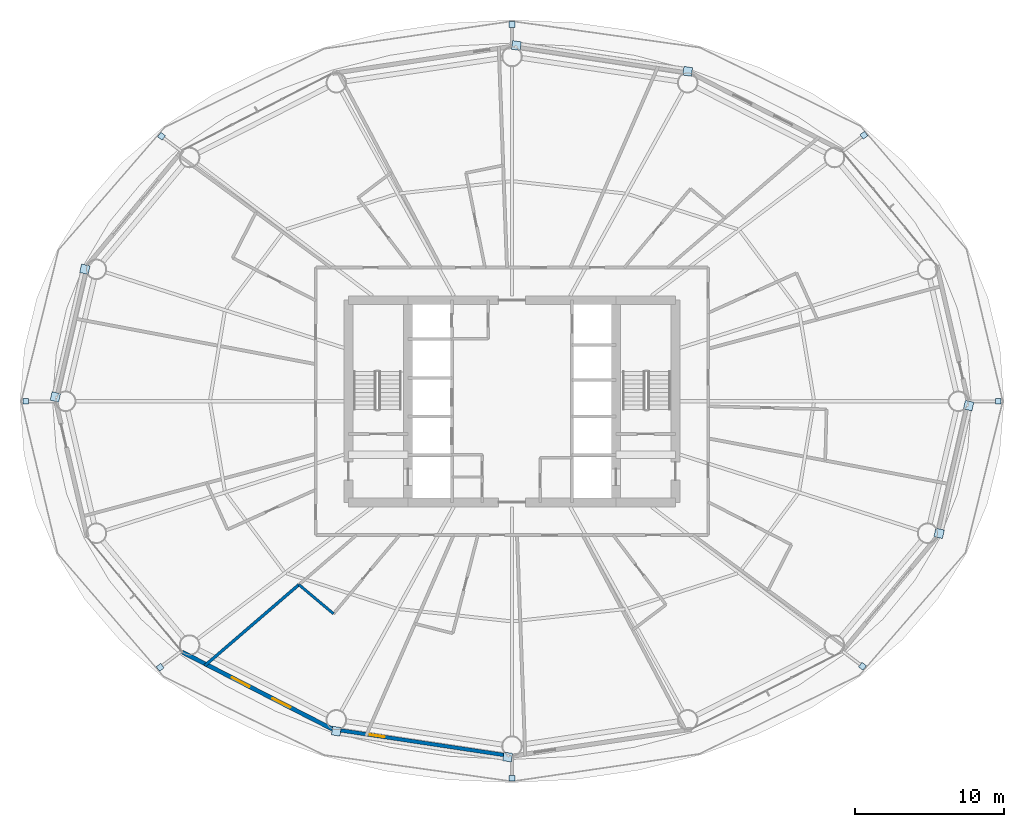
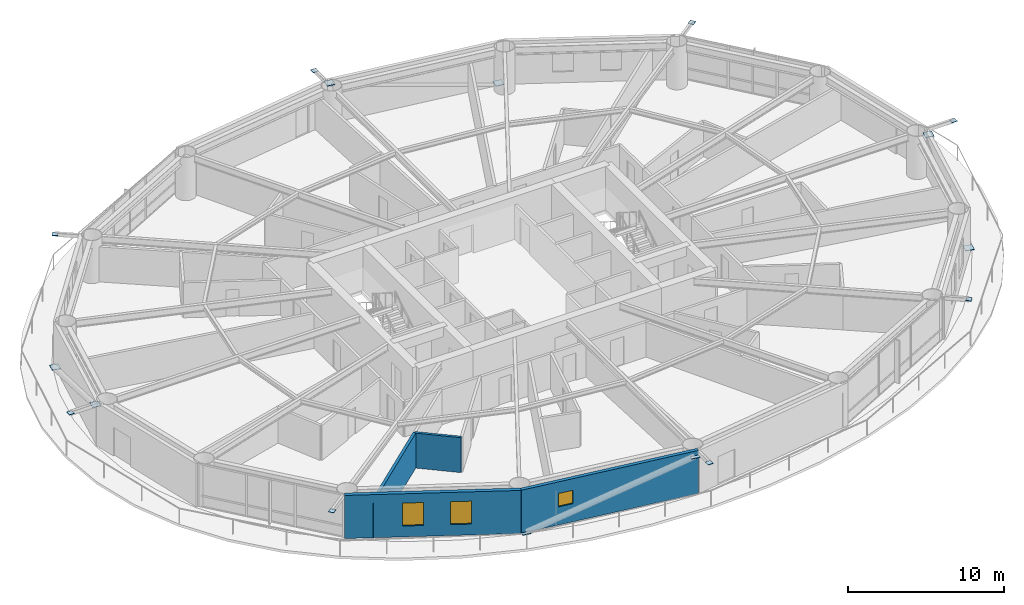
# One storey, part 19 of 26: 16 plates, 4 walls, 3 windows, 3 openings.
"""IFC4 building model written with IfcOpenShell, lengths in metres."""

from ifc_helpers import new_model, si_unit, direction, frame, frame_2d, origin, origin_2d, place, context, subcontext, project, spatial, rectangle, extrude, material, layer, layer_set, type_object, element, fill, save


model = new_model("IFC4")

# Units and contexts
model_context = context("Model", 3, precision=1e-05, world=origin(), true_north=direction((0.0, 1.0)))
body_context = subcontext(model_context, "Body", "Model", "MODEL_VIEW")
ifc_project = project(units=[si_unit("LENGTHUNIT", "METRE"), si_unit("AREAUNIT", "SQUARE_METRE"), si_unit("VOLUMEUNIT", "CUBIC_METRE"), si_unit("PLANEANGLEUNIT", "RADIAN"), si_unit("MASSUNIT", "GRAM", prefix="KILO")], contexts=[model_context])

# Site, building, storey
site_placement = place(None, origin())
site = spatial("IfcSite", under=ifc_project, at=site_placement, CompositionType="ELEMENT")
building_placement = place(site_placement, origin())
building = spatial("IfcBuilding", under=site, at=building_placement, Name="Sarneth Arch Tower", CompositionType="ELEMENT")
storey_placement = place(building_placement, frame((0.0, 0.0, 46.199951171875)))
storey = spatial("IfcBuildingStorey", under=building, at=storey_placement, Name="L10", CompositionType="ELEMENT", Elevation=46.199951171875)

# Plates
ifc_material_1 = material(Name="Steel S355", Category="steel")
ifc_layer_1 = layer(ifc_material_1, 0.035888671875)
ifc_layer_set_1 = layer_set([ifc_layer_1], Name="Steel S355")
plate_type = type_object("IfcPlateType", Name="PLT-GUSSET-30", PredefinedType="SHEET", material=ifc_layer_set_1)
for number, where, z_axis, x_axis, name in (
    (1, (80.728759765625, 42.0, 3.2021484375), (0.0, 0.0, 1.0), (1.0, 0.0, 0.0), "Steel end cap plate GP-1"),
    (2, (71.676513671875, 59.90185546875, 3.2021484375), (0.0, 0.0, 1.0), (0.797689196331, 0.603068773902, 0.0), "Steel end cap plate GP-1"),
):
    element("IfcPlate", number, at=place(storey_placement, frame(where, z_axis=z_axis, x_axis=x_axis)), inside=storey, type_object=plate_type, Name=name, PredefinedType="SHEET", context=body_context, shape_type="SweptSolid", body=[
        extrude(rectangle(XDim=0.3798828125, YDim=0.3798828125, at=origin_2d()), origin(), (0.0, 0.0, 1.0), 0.035888671875),
    ])
for number, where, z_axis, x_axis, name in (
    (3, (59.819580078125, 64.19921875, 0.001953125), (0.0, 0.0, 1.0), (-0.98883454203, 0.149017611339, 0.0), "Steel end cap plate GP-1"),
    (4, (48.296630859375, 65.935302734375, 2.98876953125), (0.0, 0.0, 1.0), (-0.98883454203, 0.149017611339, 0.0), "Steel end cap plate GP-1"),
):
    element("IfcPlate", number, at=place(storey_placement, frame(where, z_axis=z_axis, x_axis=x_axis)), inside=storey, type_object=plate_type, Name=name, PredefinedType="SHEET", context=body_context, shape_type="SweptSolid", body=[
        extrude(rectangle(XDim=0.587890625, YDim=0.587890625, at=origin_2d()), origin(), (0.0, 0.0, 1.0), 0.035888671875),
    ])
for number, where, z_axis, x_axis, name in (
    (5, (48.0, 67.35595703125, 3.2021484375), (0.0, 0.0, 1.0), (0.0, 1.0, 0.0), "Steel end cap plate GP-1"),
    (6, (24.41455078125, 59.8330078125, 3.2021484375), (0.0, 0.0, 1.0), (-0.797689196331, 0.603068773902, 0.0), "Steel end cap plate GP-1"),
):
    element("IfcPlate", number, at=place(storey_placement, frame(where, z_axis=z_axis, x_axis=x_axis)), inside=storey, type_object=plate_type, Name=name, PredefinedType="SHEET", context=body_context, shape_type="SweptSolid", body=[
        extrude(rectangle(XDim=0.3798828125, YDim=0.3798828125, at=origin_2d()), origin(), (0.0, 0.0, 1.0), 0.035888671875),
    ])
for number, where, z_axis, x_axis, name in (
    (7, (19.260986328125, 50.884521484375, 0.001953125), (0.0, 0.0, 1.0), (-0.225291159947, -0.974291482694, 0.0), "Steel end cap plate GP-1"),
    (8, (17.274658203125, 42.292236328125, 2.98876953125), (0.0, 0.0, 1.0), (-0.225291159947, -0.974291482694, 0.0), "Steel end cap plate GP-1"),
):
    element("IfcPlate", number, at=place(storey_placement, frame(where, z_axis=z_axis, x_axis=x_axis)), inside=storey, type_object=plate_type, Name=name, PredefinedType="SHEET", context=body_context, shape_type="SweptSolid", body=[
        extrude(rectangle(XDim=0.587890625, YDim=0.587890625, at=origin_2d()), origin(), (0.0, 0.0, 1.0), 0.035888671875),
    ])
for number, where, z_axis, x_axis, name in (
    (9, (15.271240234375, 42.0, 3.2021484375), (0.0, 0.0, 1.0), (-1.0, 0.0, 0.0), "Steel end cap plate GP-1"),
    (10, (24.323486328125, 24.09814453125, 3.2021484375), (0.0, 0.0, 1.0), (-0.797689196331, -0.603068773902, 0.0), "Steel end cap plate GP-1"),
):
    element("IfcPlate", number, at=place(storey_placement, frame(where, z_axis=z_axis, x_axis=x_axis)), inside=storey, type_object=plate_type, Name=name, PredefinedType="SHEET", context=body_context, shape_type="SweptSolid", body=[
        extrude(rectangle(XDim=0.3798828125, YDim=0.3798828125, at=origin_2d()), origin(), (0.0, 0.0, 1.0), 0.035888671875),
    ])
for number, where, z_axis, x_axis, name in (
    (11, (36.180419921875, 19.80078125, 0.001953125), (0.0, 0.0, 1.0), (0.98883454203, -0.149017611339, 0.0), "Steel end cap plate GP-1"),
    (12, (47.703369140625, 18.064697265625, 2.98876953125), (0.0, 0.0, 1.0), (0.98883454203, -0.149017611339, 0.0), "Steel end cap plate GP-1"),
):
    element("IfcPlate", number, at=place(storey_placement, frame(where, z_axis=z_axis, x_axis=x_axis)), inside=storey, type_object=plate_type, Name=name, PredefinedType="SHEET", context=body_context, shape_type="SweptSolid", body=[
        extrude(rectangle(XDim=0.587890625, YDim=0.587890625, at=origin_2d()), origin(), (0.0, 0.0, 1.0), 0.035888671875),
    ])
for number, where, z_axis, x_axis, name in (
    (13, (48.0, 16.64404296875, 3.2021484375), (0.0, 0.0, 1.0), (0.0, -1.0, 0.0), "Steel end cap plate GP-1"),
    (14, (71.58544921875, 24.1669921875, 3.2021484375), (0.0, 0.0, 1.0), (0.797689196331, -0.603068773902, 0.0), "Steel end cap plate GP-1"),
):
    element("IfcPlate", number, at=place(storey_placement, frame(where, z_axis=z_axis, x_axis=x_axis)), inside=storey, type_object=plate_type, Name=name, PredefinedType="SHEET", context=body_context, shape_type="SweptSolid", body=[
        extrude(rectangle(XDim=0.3798828125, YDim=0.3798828125, at=origin_2d()), origin(), (0.0, 0.0, 1.0), 0.035888671875),
    ])
for number, where, z_axis, x_axis, name in (
    (15, (76.739013671875, 33.115478515625, 0.001953125), (0.0, 0.0, 1.0), (0.225291159947, 0.974291482694, 0.0), "Steel end cap plate GP-1"),
    (16, (78.725341796875, 41.707763671875, 2.98876953125), (0.0, 0.0, 1.0), (0.225291159947, 0.974291482694, 0.0), "Steel end cap plate GP-1"),
):
    element("IfcPlate", number, at=place(storey_placement, frame(where, z_axis=z_axis, x_axis=x_axis)), inside=storey, type_object=plate_type, Name=name, PredefinedType="SHEET", context=body_context, shape_type="SweptSolid", body=[
        extrude(rectangle(XDim=0.587890625, YDim=0.587890625, at=origin_2d()), origin(), (0.0, 0.0, 1.0), 0.035888671875),
    ])

# Wall, opening, window
ifc_material_2 = material(Name="Extruded terracotta rainscreen on Concrete C40/50 backing", Category="masonry")
ifc_layer_2 = layer(ifc_material_2, 0.25)
ifc_layer_set_2 = layer_set([ifc_layer_2], Name="Extruded terracotta rainscreen on Concrete C40/50 backing")
wall_type_1 = type_object("IfcWallType", Name="WALL-EXT-SPAND-250", PredefinedType="SOLIDWALL", material=ifc_layer_set_2)
wall_1_placement = place(storey_placement, frame((35.922119140625, 19.937744140625, 0.0), z_axis=(0.0, 0.0, 1.0), x_axis=(0.988864835849, -0.148816452121, 0.0)))
wall_1 = element("IfcWall", 17, at=wall_1_placement, inside=storey, type_object=wall_type_1, Name="L10 Terracotta perimeter wall 12", PredefinedType="SOLIDWALL", context=body_context, shape_type="SweptSolid", body=[
    extrude(rectangle(XDim=12.2138671875, YDim=0.25, at=frame_2d((6.10693359375, 0.0))), origin(), (0.0, 0.0, 1.0), 3.380126953125),
])
opening_1_placement = place(wall_1_placement, frame((2.535888671875, 0.0, 1.419921875)))
opening_1 = element("IfcOpeningElement", 18, at=opening_1_placement, cuts=wall_1, Name="Opening W-14", PredefinedType="OPENING", context=body_context, shape_type="SweptSolid", body=[
    extrude(rectangle(XDim=1.0, YDim=1.050048828125, at=frame_2d((0.5, 0.52490234375))), frame((0.0, 0.135009765625, 0.0), z_axis=(0.0, -1.0, 0.0), x_axis=(1.0, 0.0, 0.0)), (0.0, 0.0, 1.0), 0.27001953125),
])
ifc_material_3 = material(Name="Thermally broken Aluminium 6063-T6 and low-e laminated IGU", Category="aluminium")
window_type_1 = type_object("IfcWindowType", Name="WIN-TWR-1000x1050", PartitioningType="SINGLE_PANEL", PredefinedType="WINDOW", material=ifc_material_3)
window_1_placement = place(opening_1_placement, origin())
window_1 = element("IfcWindow", 19, at=window_1_placement, inside=storey, type_object=window_type_1, Name="L10 Dwelling bedroom window 01", OverallHeight=1.050048828125, OverallWidth=1.0, PartitioningType="SINGLE_PANEL", PredefinedType="WINDOW", context=body_context, shape_type="SweptSolid", body=[
    extrude(rectangle(XDim=1.0, YDim=1.050048828125, at=frame_2d((0.5, 0.52490234375))), frame((0.0, 0.030029296875, 0.0), z_axis=(0.0, -1.0, 0.0), x_axis=(1.0, 0.0, 0.0)), (0.0, 0.0, 1.0), 0.06005859375),
])
fill(opening_1, window_1)

# Wall, openings, windows
ifc_material_4 = material(Name="Extruded terracotta rainscreen on Concrete C40/50 backing", Category="masonry")
ifc_layer_3 = layer(ifc_material_4, 0.280029296875)
ifc_layer_set_3 = layer_set([ifc_layer_3], Name="Extruded terracotta rainscreen on Concrete C40/50 backing")
wall_type_2 = type_object("IfcWallType", Name="WALL-EXT-TERRA-280", PredefinedType="SOLIDWALL", material=ifc_layer_set_3)
wall_2_placement = place(storey_placement, frame((25.825927734375, 25.1142578125, 0.0), z_axis=(0.0, 0.0, 1.0), x_axis=(0.889853976658, -0.456245438581, 0.0)))
wall_2 = element("IfcWall", 20, at=wall_2_placement, inside=storey, type_object=wall_type_2, Name="L10 Terracotta perimeter wall 11", PredefinedType="SOLIDWALL", context=body_context, shape_type="SweptSolid", body=[
    extrude(rectangle(XDim=11.345947265625, YDim=0.280029296875, at=frame_2d((5.6728515625, 0.0))), origin(), (0.0, 0.0, 1.0), 3.380126953125),
])
opening_2_placement = place(wall_2_placement, frame((3.731689453125, 0.0, 0.85009765625)))
opening_2 = element("IfcOpeningElement", 21, at=opening_2_placement, cuts=wall_2, Name="Opening W-08", PredefinedType="OPENING", context=body_context, shape_type="SweptSolid", body=[
    extrude(rectangle(XDim=1.35009765625, YDim=1.800048828125, at=frame_2d((0.675048828125, 0.89990234375))), frame((0.0, 0.14990234375, 0.0), z_axis=(0.0, -1.0, 0.0), x_axis=(1.0, 0.0, 0.0)), (0.0, 0.0, 1.0), 0.300048828125),
])
opening_3_placement = place(wall_2_placement, frame((6.811279296875, 0.0, 0.85009765625)))
opening_3 = element("IfcOpeningElement", 22, at=opening_3_placement, cuts=wall_2, Name="Opening W-08", PredefinedType="OPENING", context=body_context, shape_type="SweptSolid", body=[
    extrude(rectangle(XDim=1.35009765625, YDim=1.800048828125, at=frame_2d((0.675048828125, 0.89990234375))), frame((0.0, 0.14990234375, 0.0), z_axis=(0.0, -1.0, 0.0), x_axis=(1.0, 0.0, 0.0)), (0.0, 0.0, 1.0), 0.300048828125),
])
ifc_material_5 = material(Name="Thermally broken Aluminium 6063-T6 and low-e laminated IGU", Category="aluminium")
window_type_2 = type_object("IfcWindowType", Name="WIN-TWR-1350x1800", PartitioningType="SINGLE_PANEL", PredefinedType="WINDOW", material=ifc_material_5)
window_2_placement = place(opening_2_placement, origin())
window_2 = element("IfcWindow", 23, at=window_2_placement, inside=storey, type_object=window_type_2, Name="L10 Exterior window 11A", OverallHeight=1.800048828125, OverallWidth=1.35009765625, PartitioningType="SINGLE_PANEL", PredefinedType="WINDOW", context=body_context, shape_type="SweptSolid", body=[
    extrude(rectangle(XDim=1.35009765625, YDim=1.800048828125, at=frame_2d((0.675048828125, 0.89990234375))), frame((0.0, 0.030029296875, 0.0), z_axis=(0.0, -1.0, 0.0), x_axis=(1.0, 0.0, 0.0)), (0.0, 0.0, 1.0), 0.06005859375),
])
fill(opening_2, window_2)
window_3_placement = place(opening_3_placement, origin())
window_3 = element("IfcWindow", 24, at=window_3_placement, inside=storey, type_object=window_type_2, Name="L10 Exterior window 11B", OverallHeight=1.800048828125, OverallWidth=1.35009765625, PartitioningType="SINGLE_PANEL", PredefinedType="WINDOW", context=body_context, shape_type="SweptSolid", body=[
    extrude(rectangle(XDim=1.35009765625, YDim=1.800048828125, at=frame_2d((0.675048828125, 0.89990234375))), frame((0.0, 0.030029296875, 0.0), z_axis=(0.0, -1.0, 0.0), x_axis=(1.0, 0.0, 0.0)), (0.0, 0.0, 1.0), 0.06005859375),
])
fill(opening_3, window_3)

# Walls
ifc_material_6 = material(Name="Moisture-resistant plumbing chase wall", Category="gypsum")
ifc_layer_4 = layer(ifc_material_6, 0.179931640625)
ifc_layer_set_4 = layer_set([ifc_layer_4], Name="Moisture-resistant plumbing chase wall")
wall_type_3 = type_object("IfcWallType", Name="WALL-PLUMB-180", PredefinedType="PLUMBINGWALL", material=ifc_layer_set_4)
wall_3_placement = place(storey_placement, frame((35.99169921875, 27.703369140625, 0.0), z_axis=(0.0, 0.0, 1.0), x_axis=(-0.765736471754, 0.643154457208, 0.0)))
element("IfcWall", 25, at=wall_3_placement, inside=storey, type_object=wall_type_3, Name="L10 Interior partition W-L10-TP-059", PredefinedType="PLUMBINGWALL", context=body_context, shape_type="SweptSolid", body=[
    extrude(rectangle(XDim=3.043212890625, YDim=0.179931640625, at=frame_2d((1.521484375, 0.0))), origin(), (0.0, 0.0, 1.0), 2.739990234375),
])
ifc_material_7 = material(Name="Double steel-stud acoustic drywall", Category="steel")
ifc_layer_5 = layer(ifc_material_7, 0.199951171875)
ifc_layer_set_5 = layer_set([ifc_layer_5], Name="Double steel-stud acoustic drywall")
wall_type_4 = type_object("IfcWallType", Name="WALL-UNIT-200", PredefinedType="PARTITIONING", material=ifc_layer_set_5)
wall_4_placement = place(storey_placement, frame((27.33447265625, 24.2158203125, 0.0), z_axis=(0.0, 0.0, 1.0), x_axis=(0.757966817992, 0.652293111127, 0.0)))
element("IfcWall", 26, at=wall_4_placement, inside=storey, type_object=wall_type_4, Name="L10 Interior partition W-L10-TP-056", PredefinedType="PARTITIONING", context=body_context, shape_type="SweptSolid", body=[
    extrude(rectangle(XDim=8.34716796875, YDim=0.199951171875, at=frame_2d((4.173583984375, 0.0))), origin(), (0.0, 0.0, 1.0), 2.739990234375),
])

save(model, "model.ifc")
